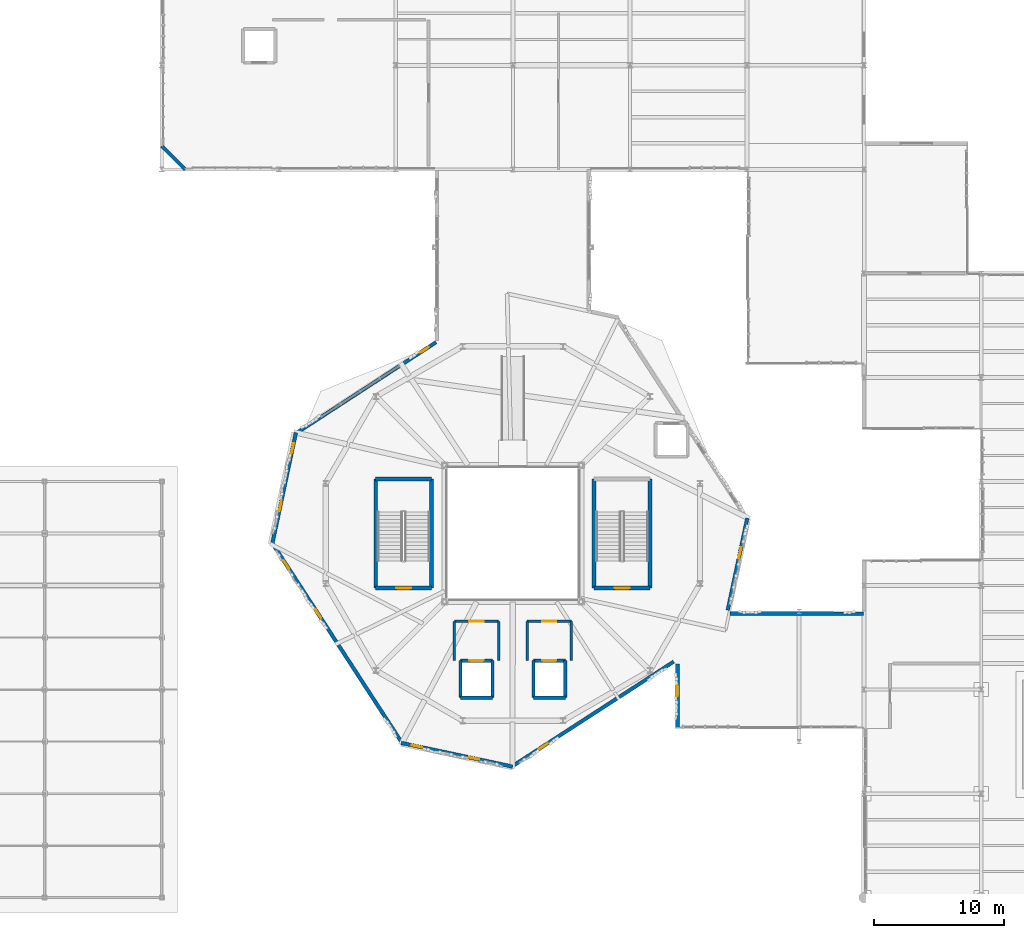
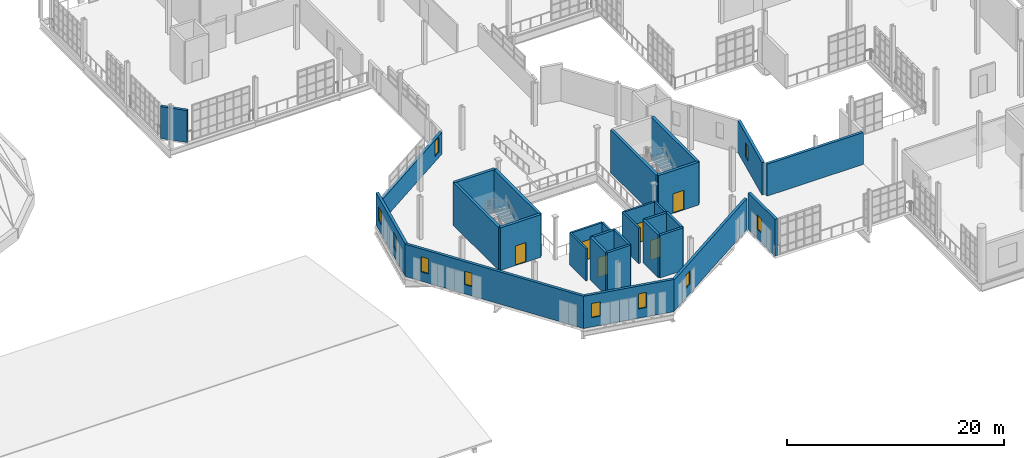
# One storey, part 103 of 118: 30 walls, 10 windows, 6 doors, 16 openings.
"""IFC4 building model written with IfcOpenShell, lengths in metres."""

from ifc_helpers import new_model, si_unit, direction, frame, frame_2d, origin, place, context, subcontext, project, spatial, rectangle, extrude, material, layer, layer_set, type_object, element, fill, save


model = new_model("IFC4")

# Units and contexts
model_context = context("Model", 3, precision=1e-05, world=origin(), true_north=direction((0.0, 1.0)))
body_context = subcontext(model_context, "Body", "Model", "MODEL_VIEW")
ifc_project = project(units=[si_unit("LENGTHUNIT", "METRE"), si_unit("AREAUNIT", "SQUARE_METRE"), si_unit("VOLUMEUNIT", "CUBIC_METRE"), si_unit("PLANEANGLEUNIT", "RADIAN"), si_unit("MASSUNIT", "GRAM", prefix="KILO"), si_unit("THERMODYNAMICTEMPERATUREUNIT", "KELVIN"), si_unit("POWERUNIT", "WATT")], contexts=[model_context])

# Site, building, storey
site_placement = place(None, origin())
site = spatial("IfcSite", under=ifc_project, at=site_placement, CompositionType="ELEMENT")
building_placement = place(site_placement, origin())
building = spatial("IfcBuilding", under=site, at=building_placement, Name="Zelmaris Science Centre", CompositionType="ELEMENT")
storey_placement = place(building_placement, frame((0.0, 0.0, 15.60009765625)))
storey = spatial("IfcBuildingStorey", under=building, at=storey_placement, Name="L03", CompositionType="ELEMENT", Elevation=15.60009765625)

# Wall, opening, door
ifc_material_1 = material(Name="Concrete C40/50", Category="concrete")
ifc_layer_1 = layer(ifc_material_1, 0.300048828125, Name="Concrete C40/50")
ifc_layer_set_1 = layer_set([ifc_layer_1], Name="Concrete C40/50")
wall_type_1 = type_object("IfcWallType", Name="Core Shear Wall CW-S1 300mm", PredefinedType="SOLIDWALL", material=ifc_layer_set_1)
wall_1_placement = place(storey_placement, frame((74.75, 31.800048828125, 0.0), z_axis=(0.0, 0.0, 1.0), x_axis=(-1.0, 0.0, 0.0)))
wall_1 = element("IfcWall", 1, at=wall_1_placement, inside=storey, type_object=wall_type_1, Name="L03 ST-1 core shear wall near", PredefinedType="SOLIDWALL", context=body_context, shape_type="SweptSolid", body=[
    extrude(rectangle(XDim=4.300048828125, YDim=0.300048828125, at=frame_2d((2.14990234375, 0.0))), origin(), (0.0, 0.0, 1.0), 4.7998046875),
])
opening_1_placement = place(wall_1_placement, frame((1.574951171875, 0.0, 0.0)))
opening_1 = element("IfcOpeningElement", 2, at=opening_1_placement, cuts=wall_1, Name="Opening D-FD90", PredefinedType="OPENING", context=body_context, shape_type="SweptSolid", body=[
    extrude(rectangle(XDim=1.14990234375, YDim=2.199951171875, at=frame_2d((0.574951171875, 1.10009765625))), frame((0.0, 0.159912109375, 0.0), z_axis=(0.0, -1.0, 0.0), x_axis=(1.0, 0.0, 0.0)), (0.0, 0.0, 1.0), 0.320068359375),
])
ifc_material_2 = material(Name="Steel ASTM A36", Category="steel")
door_type_1 = type_object("IfcDoorType", Name="Interior Door D-FD90 1150x2200", OperationType="NOTDEFINED", PredefinedType="DOOR", material=ifc_material_2)
door_1_placement = place(opening_1_placement, origin())
door_1 = element("IfcDoor", 3, at=door_1_placement, inside=storey, type_object=door_type_1, Name="L03 ST-1 exit stair fire door", OperationType="SINGLE_SWING_LEFT", OverallHeight=2.199951171875, OverallWidth=1.14990234375, PredefinedType="DOOR", context=body_context, shape_type="SweptSolid", body=[
    extrude(rectangle(XDim=1.14990234375, YDim=2.199951171875, at=frame_2d((0.574951171875, 1.10009765625))), frame((0.0, 0.02490234375, 0.0), z_axis=(0.0, -1.0, 0.0), x_axis=(1.0, 0.0, 0.0)), (0.0, 0.0, 1.0), 0.050048828125),
])
fill(opening_1, door_1)

# Walls
wall_2_placement = place(storey_placement, frame((74.75, 31.800048828125, 0.0), z_axis=(0.0, 0.0, 1.0), x_axis=(0.0, 1.0, 0.0)))
element("IfcWall", 4, at=wall_2_placement, inside=storey, type_object=wall_type_1, Name="L03 ST-1 core shear wall east", PredefinedType="SOLIDWALL", context=body_context, shape_type="SweptSolid", body=[
    extrude(rectangle(XDim=8.39990234375, YDim=0.300048828125, at=frame_2d((4.199951171875, 0.0))), origin(), (0.0, 0.0, 1.0), 4.7998046875),
])
wall_3_placement = place(storey_placement, frame((74.75, 40.199951171875, 0.0), z_axis=(0.0, 0.0, 1.0), x_axis=(-1.0, 0.0, 0.0)))
element("IfcWall", 5, at=wall_3_placement, inside=storey, type_object=wall_type_1, Name="L03 ST-1 core shear wall far", PredefinedType="SOLIDWALL", context=body_context, shape_type="SweptSolid", body=[
    extrude(rectangle(XDim=4.300048828125, YDim=0.300048828125, at=frame_2d((2.14990234375, 0.0))), origin(), (0.0, 0.0, 1.0), 4.7998046875),
])
wall_4_placement = place(storey_placement, frame((70.449951171875, 31.800048828125, 0.0), z_axis=(0.0, 0.0, 1.0), x_axis=(0.0, 1.0, 0.0)))
element("IfcWall", 6, at=wall_4_placement, inside=storey, type_object=wall_type_1, Name="L03 ST-1 core shear wall west", PredefinedType="SOLIDWALL", context=body_context, shape_type="SweptSolid", body=[
    extrude(rectangle(XDim=8.39990234375, YDim=0.300048828125, at=frame_2d((4.199951171875, 0.0))), origin(), (0.0, 0.0, 1.0), 4.7998046875),
])

# Wall, opening, door
wall_5_placement = place(storey_placement, frame((91.550048828125, 31.800048828125, 0.0), z_axis=(0.0, 0.0, 1.0), x_axis=(-1.0, 0.0, 0.0)))
wall_5 = element("IfcWall", 7, at=wall_5_placement, inside=storey, type_object=wall_type_1, Name="L03 ST-2 core shear wall near", PredefinedType="SOLIDWALL", context=body_context, shape_type="SweptSolid", body=[
    extrude(rectangle(XDim=4.300048828125, YDim=0.300048828125, at=frame_2d((2.14990234375, 0.0))), origin(), (0.0, 0.0, 1.0), 4.7998046875),
])
opening_2_placement = place(wall_5_placement, frame((1.574951171875, 0.0, 0.0)))
opening_2 = element("IfcOpeningElement", 8, at=opening_2_placement, cuts=wall_5, Name="Opening D-FD90", PredefinedType="OPENING", context=body_context, shape_type="SweptSolid", body=[
    extrude(rectangle(XDim=1.14990234375, YDim=2.199951171875, at=frame_2d((0.574951171875, 1.10009765625))), frame((0.0, 0.159912109375, 0.0), z_axis=(0.0, -1.0, 0.0), x_axis=(1.0, 0.0, 0.0)), (0.0, 0.0, 1.0), 0.320068359375),
])
door_2_placement = place(opening_2_placement, origin())
door_2 = element("IfcDoor", 9, at=door_2_placement, inside=storey, type_object=door_type_1, Name="L03 ST-2 exit stair fire door", OperationType="SINGLE_SWING_RIGHT", OverallHeight=2.199951171875, OverallWidth=1.14990234375, PredefinedType="DOOR", context=body_context, shape_type="SweptSolid", body=[
    extrude(rectangle(XDim=1.14990234375, YDim=2.199951171875, at=frame_2d((0.574951171875, 1.10009765625))), frame((0.0, 0.02490234375, 0.0), z_axis=(0.0, -1.0, 0.0), x_axis=(1.0, 0.0, 0.0)), (0.0, 0.0, 1.0), 0.050048828125),
])
fill(opening_2, door_2)

# Walls
for number, where, z_axis, x_axis, name in (
    (10, (91.550048828125, 31.800048828125, 0.0), (0.0, 0.0, 1.0), (0.0, 1.0, 0.0), "L03 ST-2 core shear wall east"),
    (11, (87.25, 31.800048828125, 0.0), (0.0, 0.0, 1.0), (0.0, 1.0, 0.0), "L03 ST-2 core shear wall west"),
):
    element("IfcWall", number, at=place(storey_placement, frame(where, z_axis=z_axis, x_axis=x_axis)), inside=storey, type_object=wall_type_1, Name=name, PredefinedType="SOLIDWALL", context=body_context, shape_type="SweptSolid", body=[
        extrude(rectangle(XDim=8.39990234375, YDim=0.300048828125, at=frame_2d((4.199951171875, 0.0))), origin(), (0.0, 0.0, 1.0), 4.7998046875),
    ])
ifc_layer_2 = layer(ifc_material_1, 0.25, Name="Concrete C40/50")
ifc_layer_set_2 = layer_set([ifc_layer_2], Name="Concrete C40/50")
wall_type_2 = type_object("IfcWallType", Name="Core Shear Wall CW-S2 250mm", PredefinedType="SOLIDWALL", material=ifc_layer_set_2)
wall_6_placement = place(storey_placement, frame((76.97509765625, 23.375, 0.0), z_axis=(0.0, 0.0, 1.0), x_axis=(1.0, 0.0, 0.0)))
element("IfcWall", 12, at=wall_6_placement, inside=storey, type_object=wall_type_2, Name="L03 FL-01 lift shaft wall -y", PredefinedType="SOLIDWALL", context=body_context, shape_type="SweptSolid", body=[
    extrude(rectangle(XDim=2.449951171875, YDim=0.25, at=frame_2d((1.22509765625, 0.0))), origin(), (0.0, 0.0, 1.0), 4.7998046875),
])
wall_7_placement = place(storey_placement, frame((79.425048828125, 23.375, 0.0), z_axis=(0.0, 0.0, 1.0), x_axis=(0.0, 1.0, 0.0)))
element("IfcWall", 13, at=wall_7_placement, inside=storey, type_object=wall_type_2, Name="L03 FL-01 lift shaft wall +x", PredefinedType="SOLIDWALL", context=body_context, shape_type="SweptSolid", body=[
    extrude(rectangle(XDim=2.85009765625, YDim=0.25, at=frame_2d((1.425048828125, 0.0))), origin(), (0.0, 0.0, 1.0), 4.7998046875),
])

# Wall, opening, door
wall_8_placement = place(storey_placement, frame((79.425048828125, 26.22509765625, 0.0), z_axis=(0.0, 0.0, 1.0), x_axis=(-1.0, 0.0, 0.0)))
wall_8 = element("IfcWall", 14, at=wall_8_placement, inside=storey, type_object=wall_type_2, Name="L03 FL-01 lift shaft wall +y", PredefinedType="SOLIDWALL", context=body_context, shape_type="SweptSolid", body=[
    extrude(rectangle(XDim=2.449951171875, YDim=0.25, at=frame_2d((1.22509765625, 0.0))), origin(), (0.0, 0.0, 1.0), 4.7998046875),
])
opening_3_placement = place(wall_8_placement, frame((0.675048828125, 0.0, 0.0)))
opening_3 = element("IfcOpeningElement", 15, at=opening_3_placement, cuts=wall_8, Name="Opening LD-01", PredefinedType="OPENING", context=body_context, shape_type="SweptSolid", body=[
    extrude(rectangle(XDim=1.10009765625, YDim=2.199951171875, at=frame_2d((0.550048828125, 1.10009765625))), frame((0.0, 0.135009765625, 0.0), z_axis=(0.0, -1.0, 0.0), x_axis=(1.0, 0.0, 0.0)), (0.0, 0.0, 1.0), 0.27001953125),
])
door_type_2 = type_object("IfcDoorType", Name="Interior Door LD-01 1100x2200", OperationType="SLIDING_TO_LEFT", PredefinedType="DOOR", material=ifc_material_2)
door_3_placement = place(opening_3_placement, origin())
door_3 = element("IfcDoor", 16, at=door_3_placement, inside=storey, type_object=door_type_2, Name="Landing door LD-FL-01-L03", OperationType="SLIDING_TO_LEFT", OverallHeight=2.199951171875, OverallWidth=1.10009765625, PredefinedType="DOOR", context=body_context, shape_type="SweptSolid", body=[
    extrude(rectangle(XDim=1.10009765625, YDim=2.199951171875, at=frame_2d((0.550048828125, 1.10009765625))), frame((0.0, 0.02490234375, 0.0), z_axis=(0.0, -1.0, 0.0), x_axis=(1.0, 0.0, 0.0)), (0.0, 0.0, 1.0), 0.050048828125),
])
fill(opening_3, door_3)

# Walls
wall_9_placement = place(storey_placement, frame((76.97509765625, 26.22509765625, 0.0), z_axis=(0.0, 0.0, 1.0), x_axis=(0.0, -1.0, 0.0)))
element("IfcWall", 17, at=wall_9_placement, inside=storey, type_object=wall_type_2, Name="L03 FL-01 lift shaft wall -x", PredefinedType="SOLIDWALL", context=body_context, shape_type="SweptSolid", body=[
    extrude(rectangle(XDim=2.85009765625, YDim=0.25, at=frame_2d((1.425048828125, 0.0))), origin(), (0.0, 0.0, 1.0), 4.7998046875),
])
wall_10_placement = place(storey_placement, frame((82.574951171875, 23.375, 0.0), z_axis=(0.0, 0.0, 1.0), x_axis=(1.0, 0.0, 0.0)))
element("IfcWall", 18, at=wall_10_placement, inside=storey, type_object=wall_type_2, Name="L03 FL-02 lift shaft wall -y", PredefinedType="SOLIDWALL", context=body_context, shape_type="SweptSolid", body=[
    extrude(rectangle(XDim=2.449951171875, YDim=0.25, at=frame_2d((1.22509765625, 0.0))), origin(), (0.0, 0.0, 1.0), 4.7998046875),
])
wall_11_placement = place(storey_placement, frame((85.02490234375, 23.375, 0.0), z_axis=(0.0, 0.0, 1.0), x_axis=(0.0, 1.0, 0.0)))
element("IfcWall", 19, at=wall_11_placement, inside=storey, type_object=wall_type_2, Name="L03 FL-02 lift shaft wall +x", PredefinedType="SOLIDWALL", context=body_context, shape_type="SweptSolid", body=[
    extrude(rectangle(XDim=2.85009765625, YDim=0.25, at=frame_2d((1.425048828125, 0.0))), origin(), (0.0, 0.0, 1.0), 4.7998046875),
])

# Wall, opening, door
wall_12_placement = place(storey_placement, frame((85.02490234375, 26.22509765625, 0.0), z_axis=(0.0, 0.0, 1.0), x_axis=(-1.0, 0.0, 0.0)))
wall_12 = element("IfcWall", 20, at=wall_12_placement, inside=storey, type_object=wall_type_2, Name="L03 FL-02 lift shaft wall +y", PredefinedType="SOLIDWALL", context=body_context, shape_type="SweptSolid", body=[
    extrude(rectangle(XDim=2.449951171875, YDim=0.25, at=frame_2d((1.22509765625, 0.0))), origin(), (0.0, 0.0, 1.0), 4.7998046875),
])
opening_4_placement = place(wall_12_placement, frame((0.675048828125, 0.0, 0.0)))
opening_4 = element("IfcOpeningElement", 21, at=opening_4_placement, cuts=wall_12, Name="Opening LD-01", PredefinedType="OPENING", context=body_context, shape_type="SweptSolid", body=[
    extrude(rectangle(XDim=1.10009765625, YDim=2.199951171875, at=frame_2d((0.550048828125, 1.10009765625))), frame((0.0, 0.135009765625, 0.0), z_axis=(0.0, -1.0, 0.0), x_axis=(1.0, 0.0, 0.0)), (0.0, 0.0, 1.0), 0.27001953125),
])
door_4_placement = place(opening_4_placement, origin())
door_4 = element("IfcDoor", 22, at=door_4_placement, inside=storey, type_object=door_type_2, Name="Landing door LD-FL-02-L03", OperationType="SLIDING_TO_LEFT", OverallHeight=2.199951171875, OverallWidth=1.10009765625, PredefinedType="DOOR", context=body_context, shape_type="SweptSolid", body=[
    extrude(rectangle(XDim=1.10009765625, YDim=2.199951171875, at=frame_2d((0.550048828125, 1.10009765625))), frame((0.0, 0.02490234375, 0.0), z_axis=(0.0, -1.0, 0.0), x_axis=(1.0, 0.0, 0.0)), (0.0, 0.0, 1.0), 0.050048828125),
])
fill(opening_4, door_4)

# Wall
wall_13_placement = place(storey_placement, frame((82.574951171875, 26.22509765625, 0.0), z_axis=(0.0, 0.0, 1.0), x_axis=(0.0, -1.0, 0.0)))
element("IfcWall", 23, at=wall_13_placement, inside=storey, type_object=wall_type_2, Name="L03 FL-02 lift shaft wall -x", PredefinedType="SOLIDWALL", context=body_context, shape_type="SweptSolid", body=[
    extrude(rectangle(XDim=2.85009765625, YDim=0.25, at=frame_2d((1.425048828125, 0.0))), origin(), (0.0, 0.0, 1.0), 4.7998046875),
])

# Wall, opening, window
ifc_material_3 = material(Name="Precast concrete C40/50", Category="concrete")
ifc_layer_3 = layer(ifc_material_3, 0.280029296875, Name="Precast concrete C40/50")
ifc_layer_set_3 = layer_set([ifc_layer_3], Name="Precast concrete C40/50")
wall_type_3 = type_object("IfcWallType", Name="Exterior Wall EW-05 280mm", PredefinedType="SOLIDWALL", material=ifc_layer_set_3)
wall_14_placement = place(storey_placement, frame((93.66015625, 21.0, 0.0), z_axis=(0.0, 0.0, 1.0), x_axis=(-4.9333991e-05, 0.999999998783, 0.0)))
wall_14 = element("IfcWall", 24, at=wall_14_placement, inside=storey, type_object=wall_type_3, Name="L03 Exterior wall 123", PredefinedType="SOLIDWALL", context=body_context, shape_type="SweptSolid", body=[
    extrude(rectangle(XDim=4.94873046875, YDim=0.280029296875, at=frame_2d((2.474365234375, 0.0))), origin(), (0.0, 0.0, 1.0), 4.1298828125),
])
opening_5_placement = place(wall_14_placement, frame((2.49951171875, 0.0, 1.050048828125)))
opening_5 = element("IfcOpeningElement", 25, at=opening_5_placement, cuts=wall_14, Name="Opening W-TR3", PredefinedType="OPENING", context=body_context, shape_type="SweptSolid", body=[
    extrude(rectangle(XDim=0.85009765625, YDim=1.60009765625, at=frame_2d((0.425048828125, 0.800048828125))), frame((0.0, 0.14990234375, 0.0), z_axis=(0.0, -1.0, 0.0), x_axis=(1.0, 0.0, 0.0)), (0.0, 0.0, 1.0), 0.300048828125),
])
ifc_material_4 = material(Name="Laminated hurricane-rated low-E insulated glazing", Category="glass")
window_type_1 = type_object("IfcWindowType", Name="Window W-TR3 850x1600", PartitioningType="SINGLE_PANEL", PredefinedType="WINDOW", material=ifc_material_4)
window_1_placement = place(opening_5_placement, origin())
window_1 = element("IfcWindow", 26, at=window_1_placement, inside=storey, type_object=window_type_1, Name="L03 Triangular faceted window 81", OverallHeight=1.60009765625, OverallWidth=0.85009765625, PartitioningType="SINGLE_PANEL", PredefinedType="WINDOW", context=body_context, shape_type="SweptSolid", body=[
    extrude(rectangle(XDim=0.85009765625, YDim=1.60009765625, at=frame_2d((0.425048828125, 0.800048828125))), frame((0.0, 0.030029296875, 0.0), z_axis=(0.0, -1.0, 0.0), x_axis=(1.0, 0.0, 0.0)), (0.0, 0.0, 1.0), 0.06005859375),
])
fill(opening_5, window_1)

wall_15_placement = place(storey_placement, frame((93.365234375, 26.141845703125, 0.0), z_axis=(0.0, 0.0, 1.0), x_axis=(-0.839308647048, -0.543655217017, 0.0)))
wall_15 = element("IfcWall", 27, at=wall_15_placement, inside=storey, type_object=wall_type_3, Name="L03 Exterior wall 124", PredefinedType="SOLIDWALL", context=body_context, shape_type="SweptSolid", body=[
    extrude(rectangle(XDim=14.883544921875, YDim=0.280029296875, at=frame_2d((7.44189453125, 0.0))), origin(), (0.0, 0.0, 1.0), 3.48388671875),
])
opening_6_placement = place(wall_15_placement, frame((11.541748046875, 0.0, 1.050048828125)))
opening_6 = element("IfcOpeningElement", 28, at=opening_6_placement, cuts=wall_15, Name="Opening W-TR1", PredefinedType="OPENING", context=body_context, shape_type="SweptSolid", body=[
    extrude(rectangle(XDim=0.800048828125, YDim=1.5, at=frame_2d((0.39990234375, 0.75))), frame((0.0, 0.14990234375, 0.0), z_axis=(0.0, -1.0, 0.0), x_axis=(1.0, 0.0, 0.0)), (0.0, 0.0, 1.0), 0.300048828125),
])
window_type_2 = type_object("IfcWindowType", Name="Window W-TR1 800x1500", PartitioningType="SINGLE_PANEL", PredefinedType="WINDOW", material=ifc_material_4)
window_2_placement = place(opening_6_placement, origin())
window_2 = element("IfcWindow", 29, at=window_2_placement, inside=storey, type_object=window_type_2, Name="L03 Triangular faceted window 82", OverallHeight=1.5, OverallWidth=0.800048828125, PartitioningType="SINGLE_PANEL", PredefinedType="WINDOW", context=body_context, shape_type="SweptSolid", body=[
    extrude(rectangle(XDim=0.800048828125, YDim=1.5, at=frame_2d((0.39990234375, 0.75))), frame((0.0, 0.030029296875, 0.0), z_axis=(0.0, -1.0, 0.0), x_axis=(1.0, 0.0, 0.0)), (0.0, 0.0, 1.0), 0.06005859375),
])
fill(opening_6, window_2)

# Wall, openings, windows
wall_16_placement = place(storey_placement, frame((80.99365234375, 18.072509765625, 0.0), z_axis=(0.0, 0.0, 1.0), x_axis=(-0.978148234997, 0.207908706824, 0.0)))
wall_16 = element("IfcWall", 30, at=wall_16_placement, inside=storey, type_object=wall_type_3, Name="L03 Exterior wall 125", PredefinedType="SOLIDWALL", context=body_context, shape_type="SweptSolid", body=[
    extrude(rectangle(XDim=8.768310546875, YDim=0.280029296875, at=frame_2d((4.38427734375, 0.0))), origin(), (0.0, 0.0, 1.0), 3.62890625),
])
opening_7_placement = place(wall_16_placement, frame((2.634033203125, 0.0, 1.050048828125)))
opening_7 = element("IfcOpeningElement", 31, at=opening_7_placement, cuts=wall_16, Name="Opening W-TR2", PredefinedType="OPENING", context=body_context, shape_type="SweptSolid", body=[
    extrude(rectangle(XDim=0.800048828125, YDim=1.699951171875, at=frame_2d((0.39990234375, 0.85009765625))), frame((0.0, 0.14990234375, 0.0), z_axis=(0.0, -1.0, 0.0), x_axis=(1.0, 0.0, 0.0)), (0.0, 0.0, 1.0), 0.300048828125),
])
opening_8_placement = place(wall_16_placement, frame((7.10888671875, 0.0, 1.050048828125)))
opening_8 = element("IfcOpeningElement", 32, at=opening_8_placement, cuts=wall_16, Name="Opening W-TR3", PredefinedType="OPENING", context=body_context, shape_type="SweptSolid", body=[
    extrude(rectangle(XDim=0.85009765625, YDim=1.60009765625, at=frame_2d((0.425048828125, 0.800048828125))), frame((0.0, 0.14990234375, 0.0), z_axis=(0.0, -1.0, 0.0), x_axis=(1.0, 0.0, 0.0)), (0.0, 0.0, 1.0), 0.300048828125),
])
window_type_3 = type_object("IfcWindowType", Name="Window W-TR2 800x1700", PartitioningType="SINGLE_PANEL", PredefinedType="WINDOW", material=ifc_material_4)
window_3_placement = place(opening_7_placement, origin())
window_3 = element("IfcWindow", 33, at=window_3_placement, inside=storey, type_object=window_type_3, Name="L03 Triangular faceted window 83", OverallHeight=1.699951171875, OverallWidth=0.800048828125, PartitioningType="SINGLE_PANEL", PredefinedType="WINDOW", context=body_context, shape_type="SweptSolid", body=[
    extrude(rectangle(XDim=0.800048828125, YDim=1.699951171875, at=frame_2d((0.39990234375, 0.85009765625))), frame((0.0, 0.030029296875, 0.0), z_axis=(0.0, -1.0, 0.0), x_axis=(1.0, 0.0, 0.0)), (0.0, 0.0, 1.0), 0.06005859375),
])
fill(opening_7, window_3)
window_4_placement = place(opening_8_placement, origin())
window_4 = element("IfcWindow", 34, at=window_4_placement, inside=storey, type_object=window_type_1, Name="L03 Triangular faceted window 84", OverallHeight=1.60009765625, OverallWidth=0.85009765625, PartitioningType="SINGLE_PANEL", PredefinedType="WINDOW", context=body_context, shape_type="SweptSolid", body=[
    extrude(rectangle(XDim=0.85009765625, YDim=1.60009765625, at=frame_2d((0.425048828125, 0.800048828125))), frame((0.0, 0.030029296875, 0.0), z_axis=(0.0, -1.0, 0.0), x_axis=(1.0, 0.0, 0.0)), (0.0, 0.0, 1.0), 0.06005859375),
])
fill(opening_8, window_4)

wall_17_placement = place(storey_placement, frame((72.51806640625, 19.826171875, 0.0), z_axis=(0.0, 0.0, 1.0), x_axis=(-0.544634816414, 0.838673307522, 0.0)))
wall_17 = element("IfcWall", 35, at=wall_17_placement, inside=storey, type_object=wall_type_3, Name="L03 Exterior wall 126", PredefinedType="SOLIDWALL", context=body_context, shape_type="SweptSolid", body=[
    extrude(rectangle(XDim=18.4501953125, YDim=0.280029296875, at=frame_2d((9.22509765625, 0.0))), origin(), (0.0, 0.0, 1.0), 3.6337890625),
])
opening_9_placement = place(wall_17_placement, frame((11.52490234375, 0.0, 1.050048828125)))
opening_9 = element("IfcOpeningElement", 36, at=opening_9_placement, cuts=wall_17, Name="Opening W-TR1", PredefinedType="OPENING", context=body_context, shape_type="SweptSolid", body=[
    extrude(rectangle(XDim=0.800048828125, YDim=1.5, at=frame_2d((0.39990234375, 0.75))), frame((0.0, 0.14990234375, 0.0), z_axis=(0.0, -1.0, 0.0), x_axis=(1.0, 0.0, 0.0)), (0.0, 0.0, 1.0), 0.300048828125),
])
opening_10_placement = place(wall_17_placement, frame((16.02490234375, 0.0, 1.050048828125)))
opening_10 = element("IfcOpeningElement", 37, at=opening_10_placement, cuts=wall_17, Name="Opening W-TR2", PredefinedType="OPENING", context=body_context, shape_type="SweptSolid", body=[
    extrude(rectangle(XDim=0.800048828125, YDim=1.699951171875, at=frame_2d((0.39990234375, 0.85009765625))), frame((0.0, 0.14990234375, 0.0), z_axis=(0.0, -1.0, 0.0), x_axis=(1.0, 0.0, 0.0)), (0.0, 0.0, 1.0), 0.300048828125),
])
window_5_placement = place(opening_9_placement, origin())
window_5 = element("IfcWindow", 38, at=window_5_placement, inside=storey, type_object=window_type_2, Name="L03 Triangular faceted window 85", OverallHeight=1.5, OverallWidth=0.800048828125, PartitioningType="SINGLE_PANEL", PredefinedType="WINDOW", context=body_context, shape_type="SweptSolid", body=[
    extrude(rectangle(XDim=0.800048828125, YDim=1.5, at=frame_2d((0.39990234375, 0.75))), frame((0.0, 0.030029296875, 0.0), z_axis=(0.0, -1.0, 0.0), x_axis=(1.0, 0.0, 0.0)), (0.0, 0.0, 1.0), 0.06005859375),
])
fill(opening_9, window_5)
window_6_placement = place(opening_10_placement, origin())
window_6 = element("IfcWindow", 39, at=window_6_placement, inside=storey, type_object=window_type_3, Name="L03 Triangular faceted window 86", OverallHeight=1.699951171875, OverallWidth=0.800048828125, PartitioningType="SINGLE_PANEL", PredefinedType="WINDOW", context=body_context, shape_type="SweptSolid", body=[
    extrude(rectangle(XDim=0.800048828125, YDim=1.699951171875, at=frame_2d((0.39990234375, 0.85009765625))), frame((0.0, 0.030029296875, 0.0), z_axis=(0.0, -1.0, 0.0), x_axis=(1.0, 0.0, 0.0)), (0.0, 0.0, 1.0), 0.06005859375),
])
fill(opening_10, window_6)

wall_18_placement = place(storey_placement, frame((62.49169921875, 35.17919921875, 0.0), z_axis=(0.0, 0.0, 1.0), x_axis=(0.207914369418, 0.978147031376, 0.0)))
wall_18 = element("IfcWall", 40, at=wall_18_placement, inside=storey, type_object=wall_type_3, Name="L03 Exterior wall 127", PredefinedType="SOLIDWALL", context=body_context, shape_type="SweptSolid", body=[
    extrude(rectangle(XDim=8.76806640625, YDim=0.280029296875, at=frame_2d((4.384033203125, 0.0))), origin(), (0.0, 0.0, 1.0), 3.6240234375),
])
opening_11_placement = place(wall_18_placement, frame((2.60888671875, 0.0, 1.050048828125)))
opening_11 = element("IfcOpeningElement", 41, at=opening_11_placement, cuts=wall_18, Name="Opening W-TR3", PredefinedType="OPENING", context=body_context, shape_type="SweptSolid", body=[
    extrude(rectangle(XDim=0.85009765625, YDim=1.60009765625, at=frame_2d((0.425048828125, 0.800048828125))), frame((0.0, 0.14990234375, 0.0), z_axis=(0.0, -1.0, 0.0), x_axis=(1.0, 0.0, 0.0)), (0.0, 0.0, 1.0), 0.300048828125),
])
opening_12_placement = place(wall_18_placement, frame((7.134033203125, 0.0, 1.050048828125)))
opening_12 = element("IfcOpeningElement", 42, at=opening_12_placement, cuts=wall_18, Name="Opening W-TR1", PredefinedType="OPENING", context=body_context, shape_type="SweptSolid", body=[
    extrude(rectangle(XDim=0.800048828125, YDim=1.5, at=frame_2d((0.39990234375, 0.75))), frame((0.0, 0.14990234375, 0.0), z_axis=(0.0, -1.0, 0.0), x_axis=(1.0, 0.0, 0.0)), (0.0, 0.0, 1.0), 0.300048828125),
])
window_7_placement = place(opening_12_placement, origin())
window_7 = element("IfcWindow", 43, at=window_7_placement, inside=storey, type_object=window_type_2, Name="L03 Triangular faceted window 88", OverallHeight=1.5, OverallWidth=0.800048828125, PartitioningType="SINGLE_PANEL", PredefinedType="WINDOW", context=body_context, shape_type="SweptSolid", body=[
    extrude(rectangle(XDim=0.800048828125, YDim=1.5, at=frame_2d((0.39990234375, 0.75))), frame((0.0, 0.030029296875, 0.0), z_axis=(0.0, -1.0, 0.0), x_axis=(1.0, 0.0, 0.0)), (0.0, 0.0, 1.0), 0.06005859375),
])
fill(opening_12, window_7)
window_8_placement = place(opening_11_placement, origin())
window_8 = element("IfcWindow", 44, at=window_8_placement, inside=storey, type_object=window_type_1, Name="L03 Triangular faceted window 87", OverallHeight=1.60009765625, OverallWidth=0.85009765625, PartitioningType="SINGLE_PANEL", PredefinedType="WINDOW", context=body_context, shape_type="SweptSolid", body=[
    extrude(rectangle(XDim=0.85009765625, YDim=1.60009765625, at=frame_2d((0.425048828125, 0.800048828125))), frame((0.0, 0.030029296875, 0.0), z_axis=(0.0, -1.0, 0.0), x_axis=(1.0, 0.0, 0.0)), (0.0, 0.0, 1.0), 0.06005859375),
])
fill(opening_11, window_8)

# Wall, opening, window
wall_19_placement = place(storey_placement, frame((64.24560546875, 43.65478515625, 0.0), z_axis=(0.0, 0.0, 1.0), x_axis=(0.838220921462, 0.545330804947, 0.0)))
wall_19 = element("IfcWall", 45, at=wall_19_placement, inside=storey, type_object=wall_type_3, Name="L03 Exterior wall 128", PredefinedType="SOLIDWALL", context=body_context, shape_type="SweptSolid", body=[
    extrude(rectangle(XDim=12.928466796875, YDim=0.280029296875, at=frame_2d((6.46435546875, 0.0))), origin(), (0.0, 0.0, 1.0), 2.449951171875),
])
opening_13_placement = place(wall_19_placement, frame((11.46435546875, 0.0, 0.60009765625)))
opening_13 = element("IfcOpeningElement", 46, at=opening_13_placement, cuts=wall_19, Name="Opening W-TR2", PredefinedType="OPENING", context=body_context, shape_type="SweptSolid", body=[
    extrude(rectangle(XDim=0.800048828125, YDim=1.699951171875, at=frame_2d((0.39990234375, 0.85009765625))), frame((0.0, 0.14990234375, 0.0), z_axis=(0.0, -1.0, 0.0), x_axis=(1.0, 0.0, 0.0)), (0.0, 0.0, 1.0), 0.300048828125),
])
window_9_placement = place(opening_13_placement, origin())
window_9 = element("IfcWindow", 47, at=window_9_placement, inside=storey, type_object=window_type_3, Name="L03 Triangular faceted window 89", OverallHeight=1.699951171875, OverallWidth=0.800048828125, PartitioningType="SINGLE_PANEL", PredefinedType="WINDOW", context=body_context, shape_type="SweptSolid", body=[
    extrude(rectangle(XDim=0.800048828125, YDim=1.699951171875, at=frame_2d((0.39990234375, 0.85009765625))), frame((0.0, 0.030029296875, 0.0), z_axis=(0.0, -1.0, 0.0), x_axis=(1.0, 0.0, 0.0)), (0.0, 0.0, 1.0), 0.06005859375),
])
fill(opening_13, window_9)

wall_20_placement = place(storey_placement, frame((99.022705078125, 37.17333984375, 0.0), z_axis=(0.0, 0.0, 1.0), x_axis=(-0.20790199548, -0.978149661491, 0.0)))
wall_20 = element("IfcWall", 48, at=wall_20_placement, inside=storey, type_object=wall_type_3, Name="L03 Exterior wall 132", PredefinedType="SOLIDWALL", context=body_context, shape_type="SweptSolid", body=[
    extrude(rectangle(XDim=7.2255859375, YDim=0.280029296875, at=frame_2d((3.61279296875, 0.0))), origin(), (0.0, 0.0, 1.0), 3.6259765625),
])
opening_14_placement = place(wall_20_placement, frame((2.287841796875, 0.0, 1.050048828125)))
opening_14 = element("IfcOpeningElement", 49, at=opening_14_placement, cuts=wall_20, Name="Opening W-TR3", PredefinedType="OPENING", context=body_context, shape_type="SweptSolid", body=[
    extrude(rectangle(XDim=0.85009765625, YDim=1.60009765625, at=frame_2d((0.425048828125, 0.800048828125))), frame((0.0, 0.14990234375, 0.0), z_axis=(0.0, -1.0, 0.0), x_axis=(1.0, 0.0, 0.0)), (0.0, 0.0, 1.0), 0.300048828125),
])
window_10_placement = place(opening_14_placement, origin())
window_10 = element("IfcWindow", 50, at=window_10_placement, inside=storey, type_object=window_type_1, Name="L03 Triangular faceted window 93", OverallHeight=1.60009765625, OverallWidth=0.85009765625, PartitioningType="SINGLE_PANEL", PredefinedType="WINDOW", context=body_context, shape_type="SweptSolid", body=[
    extrude(rectangle(XDim=0.85009765625, YDim=1.60009765625, at=frame_2d((0.425048828125, 0.800048828125))), frame((0.0, 0.030029296875, 0.0), z_axis=(0.0, -1.0, 0.0), x_axis=(1.0, 0.0, 0.0)), (0.0, 0.0, 1.0), 0.06005859375),
])
fill(opening_14, window_10)

# Walls
wall_21_placement = place(storey_placement, frame((97.7021484375, 29.850341796875, 0.0), z_axis=(0.0, 0.0, 1.0), x_axis=(0.999999611629, -0.000881329752, 0.0)))
element("IfcWall", 51, at=wall_21_placement, inside=storey, type_object=wall_type_3, Name="L03 Exterior wall 133", PredefinedType="SOLIDWALL", context=body_context, shape_type="SweptSolid", body=[
    extrude(rectangle(XDim=10.24951171875, YDim=0.280029296875, at=frame_2d((5.124755859375, 0.0))), origin(), (0.0, 0.0, 1.0), 3.600830078125),
])
ifc_layer_4 = layer(ifc_material_3, 0.260009765625, Name="Precast concrete C40/50")
ifc_layer_set_4 = layer_set([ifc_layer_4], Name="Precast concrete C40/50")
wall_type_4 = type_object("IfcWallType", Name="Exterior Wall EW-06 260mm", PredefinedType="SOLIDWALL", material=ifc_layer_set_4)
wall_22_placement = place(storey_placement, frame((55.800048828125, 64.0, 0.0), z_axis=(0.0, 0.0, 1.0), x_axis=(-0.707106781187, 0.707106781187, 0.0)))
element("IfcWall", 52, at=wall_22_placement, inside=storey, type_object=wall_type_4, Name="L03 Exterior wall 130", PredefinedType="SOLIDWALL", context=body_context, shape_type="SweptSolid", body=[
    extrude(rectangle(XDim=2.545654296875, YDim=0.260009765625, at=frame_2d((1.27294921875, 0.0))), origin(), (0.0, 0.0, 1.0), 3.602783203125),
])
ifc_material_5 = material(Name="Autoclaved aerated concrete blockwork", Category="masonry")
ifc_layer_5 = layer(ifc_material_5, 0.199951171875, Name="Autoclaved aerated concrete blockwork")
ifc_layer_set_5 = layer_set([ifc_layer_5], Name="Autoclaved aerated concrete blockwork")
wall_type_5 = type_object("IfcWallType", Name="Interior Wall FW-01 200mm", PredefinedType="SOLIDWALL", material=ifc_layer_set_5)
wall_23_placement = place(storey_placement, frame((76.5, 26.25, 0.0), z_axis=(0.0, 0.0, 1.0), x_axis=(0.0, 1.0, 0.0)))
element("IfcWall", 53, at=wall_23_placement, inside=storey, type_object=wall_type_5, Name="L03 Firefighting Lobby FL-01 wall W", PredefinedType="SOLIDWALL", context=body_context, shape_type="SweptSolid", body=[
    extrude(rectangle(XDim=3.0, YDim=0.199951171875, at=frame_2d((1.5, 0.0))), origin(), (0.0, 0.0, 1.0), 3.62890625),
])
wall_24_placement = place(storey_placement, frame((79.89990234375, 26.25, 0.0), z_axis=(0.0, 0.0, 1.0), x_axis=(0.0, 1.0, 0.0)))
element("IfcWall", 54, at=wall_24_placement, inside=storey, type_object=wall_type_5, Name="L03 Firefighting Lobby FL-01 wall E", PredefinedType="SOLIDWALL", context=body_context, shape_type="SweptSolid", body=[
    extrude(rectangle(XDim=3.0, YDim=0.199951171875, at=frame_2d((1.5, 0.0))), origin(), (0.0, 0.0, 1.0), 3.6240234375),
])

# Wall, opening, door
wall_25_placement = place(storey_placement, frame((76.5, 29.25, 0.0), z_axis=(0.0, 0.0, 1.0), x_axis=(1.0, 0.0, 0.0)))
wall_25 = element("IfcWall", 55, at=wall_25_placement, inside=storey, type_object=wall_type_5, Name="L03 Firefighting Lobby FL-01 wall N", PredefinedType="SOLIDWALL", context=body_context, shape_type="SweptSolid", body=[
    extrude(rectangle(XDim=3.39990234375, YDim=0.199951171875, at=frame_2d((1.699951171875, 0.0))), origin(), (0.0, 0.0, 1.0), 3.6240234375),
])
opening_15_placement = place(wall_25_placement, frame((1.14990234375, 0.0, 0.0)))
opening_15 = element("IfcOpeningElement", 56, at=opening_15_placement, cuts=wall_25, Name="Opening D-FD60", PredefinedType="OPENING", context=body_context, shape_type="SweptSolid", body=[
    extrude(rectangle(XDim=1.10009765625, YDim=2.199951171875, at=frame_2d((0.550048828125, 1.10009765625))), frame((0.0, 0.10986328125, 0.0), z_axis=(0.0, -1.0, 0.0), x_axis=(1.0, 0.0, 0.0)), (0.0, 0.0, 1.0), 0.219970703125),
])
door_type_3 = type_object("IfcDoorType", Name="Interior Door D-FD60 1100x2200", OperationType="NOTDEFINED", PredefinedType="DOOR", material=ifc_material_2)
door_5_placement = place(opening_15_placement, origin())
door_5 = element("IfcDoor", 57, at=door_5_placement, inside=storey, type_object=door_type_3, Name="L03 Firefighting Lobby FL-01 fire door", OperationType="SINGLE_SWING_LEFT", OverallHeight=2.199951171875, OverallWidth=1.10009765625, PredefinedType="DOOR", context=body_context, shape_type="SweptSolid", body=[
    extrude(rectangle(XDim=1.10009765625, YDim=2.199951171875, at=frame_2d((0.550048828125, 1.10009765625))), frame((0.0, 0.02490234375, 0.0), z_axis=(0.0, -1.0, 0.0), x_axis=(1.0, 0.0, 0.0)), (0.0, 0.0, 1.0), 0.050048828125),
])
fill(opening_15, door_5)

# Walls
for number, where, z_axis, x_axis, name in (
    (58, (82.10009765625, 26.25, 0.0), (0.0, 0.0, 1.0), (0.0, 1.0, 0.0), "L03 Firefighting Lobby FL-02 wall W"),
    (59, (85.5, 26.25, 0.0), (0.0, 0.0, 1.0), (0.0, 1.0, 0.0), "L03 Firefighting Lobby FL-02 wall E"),
):
    element("IfcWall", number, at=place(storey_placement, frame(where, z_axis=z_axis, x_axis=x_axis)), inside=storey, type_object=wall_type_5, Name=name, PredefinedType="SOLIDWALL", context=body_context, shape_type="SweptSolid", body=[
        extrude(rectangle(XDim=3.0, YDim=0.199951171875, at=frame_2d((1.5, 0.0))), origin(), (0.0, 0.0, 1.0), 4.0),
    ])

# Wall, opening, door
wall_26_placement = place(storey_placement, frame((82.10009765625, 29.25, 0.0), z_axis=(0.0, 0.0, 1.0), x_axis=(1.0, 0.0, 0.0)))
wall_26 = element("IfcWall", 60, at=wall_26_placement, inside=storey, type_object=wall_type_5, Name="L03 Firefighting Lobby FL-02 wall N", PredefinedType="SOLIDWALL", context=body_context, shape_type="SweptSolid", body=[
    extrude(rectangle(XDim=3.39990234375, YDim=0.199951171875, at=frame_2d((1.699951171875, 0.0))), origin(), (0.0, 0.0, 1.0), 4.0),
])
opening_16_placement = place(wall_26_placement, frame((1.14990234375, 0.0, 0.0)))
opening_16 = element("IfcOpeningElement", 61, at=opening_16_placement, cuts=wall_26, Name="Opening D-FD60", PredefinedType="OPENING", context=body_context, shape_type="SweptSolid", body=[
    extrude(rectangle(XDim=1.10009765625, YDim=2.199951171875, at=frame_2d((0.550048828125, 1.10009765625))), frame((0.0, 0.10986328125, 0.0), z_axis=(0.0, -1.0, 0.0), x_axis=(1.0, 0.0, 0.0)), (0.0, 0.0, 1.0), 0.219970703125),
])
door_6_placement = place(opening_16_placement, origin())
door_6 = element("IfcDoor", 62, at=door_6_placement, inside=storey, type_object=door_type_3, Name="L03 Firefighting Lobby FL-02 fire door", OperationType="SINGLE_SWING_RIGHT", OverallHeight=2.199951171875, OverallWidth=1.10009765625, PredefinedType="DOOR", context=body_context, shape_type="SweptSolid", body=[
    extrude(rectangle(XDim=1.10009765625, YDim=2.199951171875, at=frame_2d((0.550048828125, 1.10009765625))), frame((0.0, 0.02490234375, 0.0), z_axis=(0.0, -1.0, 0.0), x_axis=(1.0, 0.0, 0.0)), (0.0, 0.0, 1.0), 0.050048828125),
])
fill(opening_16, door_6)

save(model, "model.ifc")
